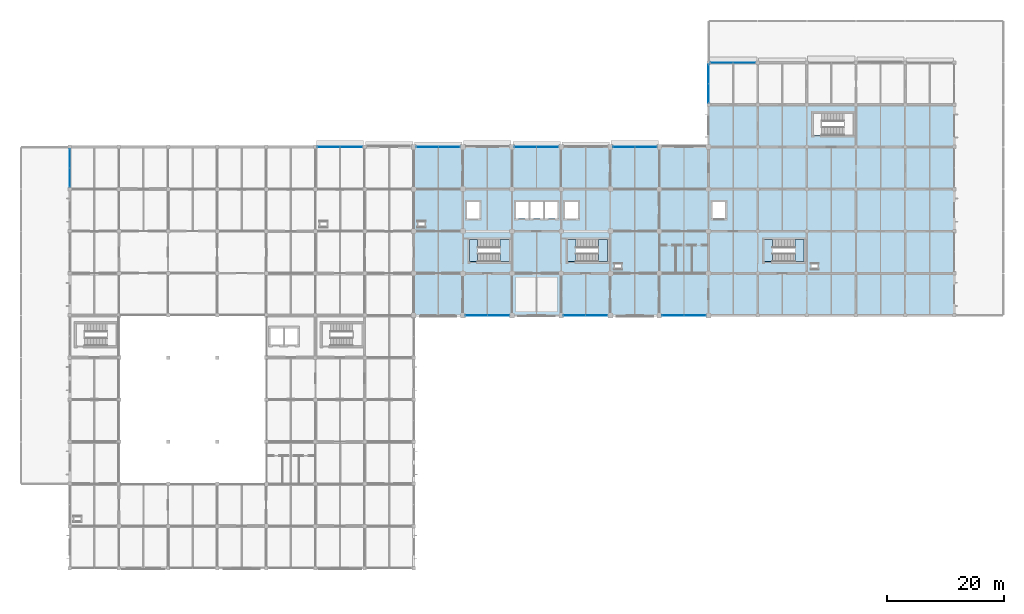
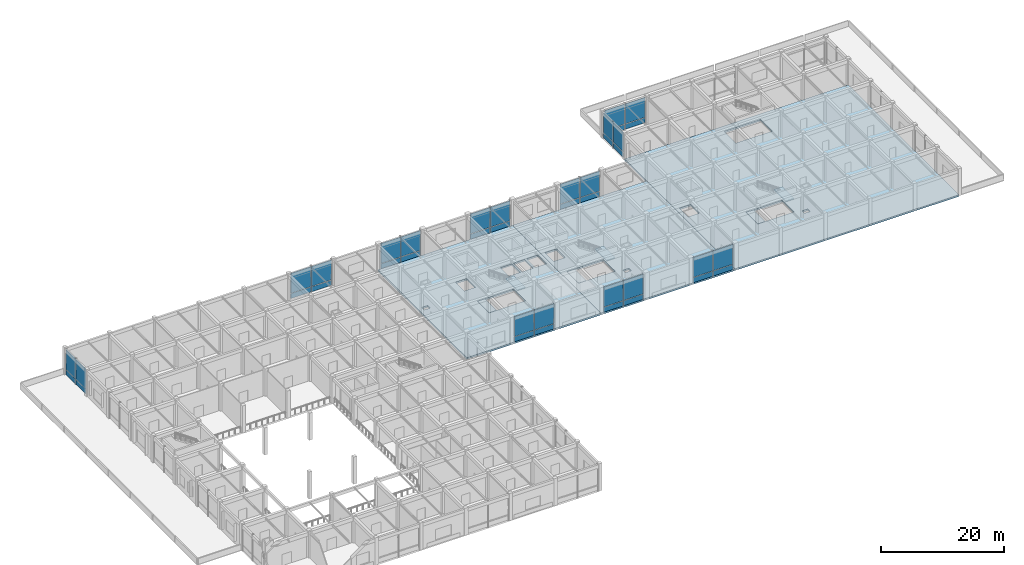
# One storey, part 17 of 38: 40 plates, 9 slabs, 13 elements without a shape of their own.
"""IFC4 building model written with IfcOpenShell, lengths in metres."""

import ifcopenshell
import ifcopenshell.guid

model = None  # the IFC model being written
_history = None  # IfcOwnerHistory: only IFC2X3 demands one
_inside = {}  # id of a spatial element -> (the spatial element, [elements in it])
_under = {}  # id of a project, library or spatial element -> (it, [spatial elements below it])
_declared = {}  # id of a project -> (the project, [libraries it declares])
_typed = {}  # id of a type object -> (the type object, [elements of that type])
_made_of = {}  # id of a material, layer set ... -> (it, [elements and type objects made of it])


def new_model(schema):
    """Start an empty IFC model of exactly this schema.

    Asked for "IFC4X3", IfcOpenShell would pick the latest addendum, in which some entities
    have other attributes; the version numbers below select the first issue.
    IFC2X3 requires an IfcOwnerHistory on every rooted entity: one is made here for all.
    """
    global model, _history
    if schema == "IFC4X3":
        model = ifcopenshell.file(schema_version=(4, 3, 0, 0))
    else:
        model = ifcopenshell.file(schema=schema)
    _inside.clear()
    _under.clear()
    _declared.clear()
    _typed.clear()
    _made_of.clear()
    _history = None
    if model.schema == "IFC2X3":
        org = make("IfcOrganization", Name="unknown")
        user = make(
            "IfcPersonAndOrganization",
            ThePerson=make("IfcPerson", FamilyName="unknown"),
            TheOrganization=org,
        )
        app = make(
            "IfcApplication",
            ApplicationDeveloper=org,
            Version="unknown",
            ApplicationFullName="unknown",
            ApplicationIdentifier="unknown",
        )
        _history = make(
            "IfcOwnerHistory",
            OwningUser=user,
            OwningApplication=app,
            ChangeAction="ADDED",
            CreationDate=0,
        )
    return model


def make(cls, **values):
    """One entity of the class cls with the attributes given. An attribute that is None is left unset."""
    return model.create_entity(
        cls, **{name: value for name, value in values.items() if value is not None}
    )


def rooted(cls, **values):
    """An entity with a GlobalId (a new one), such as an element, a storey or a relation."""
    return make(cls, GlobalId=ifcopenshell.guid.new(), OwnerHistory=_history, **values)


def si_unit(unit_type, name, prefix=None):
    """IfcSIUnit, for example si_unit("LENGTHUNIT", "METRE", prefix="MILLI")."""
    return make("IfcSIUnit", UnitType=unit_type, Prefix=prefix, Name=name)


def derived_unit(unit_type, elements):
    """IfcDerivedUnit: a product of units, each with its exponent."""
    return make(
        "IfcDerivedUnit",
        Elements=[
            make("IfcDerivedUnitElement", Unit=unit, Exponent=power)
            for unit, power in elements
        ],
        UnitType=unit_type,
    )


def assignment(units):
    """IfcUnitAssignment: the units of a project."""
    return None if units is None else make("IfcUnitAssignment", Units=units)


def point(xyz):
    """IfcCartesianPoint."""
    return None if xyz is None else make("IfcCartesianPoint", Coordinates=xyz)


def direction(xyz):
    """IfcDirection."""
    return None if xyz is None else make("IfcDirection", DirectionRatios=xyz)


def frame(location, z_axis=None, x_axis=None):
    """IfcAxis2Placement3D, a coordinate frame: its origin and axes. An axis left out is left unset."""
    return make(
        "IfcAxis2Placement3D",
        Location=point(location),
        Axis=direction(z_axis),
        RefDirection=direction(x_axis),
    )


def frame_2d(location, x_axis=None):
    """IfcAxis2Placement2D, a coordinate frame in the plane: its origin and x axis."""
    return make(
        "IfcAxis2Placement2D", Location=point(location), RefDirection=direction(x_axis)
    )


def origin():
    """The frame at (0, 0, 0) with its axes left unset."""
    return frame((0.0, 0.0, 0.0))


def origin_2d():
    """The frame at (0, 0) in the plane with its x axis left unset."""
    return frame_2d((0.0, 0.0))


def place(relative_to, where):
    """IfcLocalPlacement: puts the frame where relative to a parent placement (None: the world)."""
    return make(
        "IfcLocalPlacement", PlacementRelTo=relative_to, RelativePlacement=where
    )


def context(
    kind, dimensions, precision=None, world=None, true_north=None, identifier=None
):
    """IfcGeometricRepresentationContext, for example the 3D "Model" context."""
    return make(
        "IfcGeometricRepresentationContext",
        ContextIdentifier=identifier,
        ContextType=kind,
        CoordinateSpaceDimension=dimensions,
        Precision=precision,
        WorldCoordinateSystem=world,
        TrueNorth=true_north,
    )


def subcontext(parent, identifier, kind, view, scale=None):
    """IfcGeometricRepresentationSubContext, for example "Body" below "Model"."""
    return make(
        "IfcGeometricRepresentationSubContext",
        ContextIdentifier=identifier,
        ContextType=kind,
        ParentContext=parent,
        TargetScale=scale,
        TargetView=view,
    )


def project(units=None, contexts=None):
    """IfcProject with its units and contexts."""
    return rooted(
        "IfcProject",
        Name="project",
        RepresentationContexts=contexts,
        UnitsInContext=assignment(units),
    )


def spatial(cls, under=None, at=None, **own):
    """A site, building, storey or space (cls), placed at a placement, below another one or the project."""
    s = rooted(cls, ObjectPlacement=at, **own)
    if under is not None:
        _under.setdefault(under.id(), (under, []))[1].append(s)
    return s


def polyline(points):
    """IfcPolyline through the points."""
    return make("IfcPolyline", Points=[point(p) for p in points])


def profile(cls, at=None, kind="AREA", **sizes):
    """A parametric profile (cls). Its sizes go by their IFC names, for example OverallWidth=200.0."""
    return make(cls, ProfileType=kind, Position=at, **sizes)


def rectangle(**sizes):
    """IfcRectangleProfileDef."""
    return profile("IfcRectangleProfileDef", **sizes)


def outline(outer, holes=None, kind="AREA"):
    """IfcArbitraryClosedProfileDef: a profile drawn as a closed curve; with holes, ...WithVoids."""
    if holes is None:
        return make("IfcArbitraryClosedProfileDef", ProfileType=kind, OuterCurve=outer)
    return make(
        "IfcArbitraryProfileDefWithVoids",
        ProfileType=kind,
        OuterCurve=outer,
        InnerCurves=holes,
    )


def extrude(swept, where, along, depth):
    """IfcExtrudedAreaSolid: the profile swept, set in the frame where, extruded along a direction by depth."""
    return make(
        "IfcExtrudedAreaSolid",
        SweptArea=swept,
        Position=where,
        ExtrudedDirection=direction(along),
        Depth=depth,
    )


def shape(context_of_items, identifier, shape_type, items):
    """IfcShapeRepresentation: the items that make up one representation, for example the "Body"."""
    return make(
        "IfcShapeRepresentation",
        ContextOfItems=context_of_items,
        RepresentationIdentifier=identifier,
        RepresentationType=shape_type,
        Items=items,
    )


def material(Name=None, Category=None):
    """IfcMaterial."""
    return make("IfcMaterial", Name=Name, Category=Category)


def layer(
    of_material, thickness, ventilated=None, Name=None, Category=None, Priority=None
):
    """IfcMaterialLayer: one layer of a wall or slab, of a material (None: an air gap)."""
    return make(
        "IfcMaterialLayer",
        Material=of_material,
        LayerThickness=thickness,
        IsVentilated=ventilated,
        Name=Name,
        Category=Category,
        Priority=Priority,
    )


def layer_set(layers, Name=None):
    """IfcMaterialLayerSet."""
    return make("IfcMaterialLayerSet", MaterialLayers=layers, LayerSetName=Name)


def made_of(thing, what):
    """Note that an element or type object is made of a material, layer set ...; save() writes the relation."""
    if what is not None:
        _made_of.setdefault(what.id(), (what, []))[1].append(thing)
    return thing


def type_object(cls, material=None, **own):
    """A type object (cls), such as IfcWallType, which elements share."""
    return made_of(rooted(cls, **own), material)


def element(
    cls,
    number,
    at=None,
    inside=None,
    cuts=None,
    type_object=None,
    material=None,
    context=None,
    identifier="Body",
    shape_type=None,
    held_by="IfcProductDefinitionShape",
    body=None,
    shapes=None,
    **own,
):
    """One element of the class cls, such as IfcWall. Its Tag is "e" and its number.

    at: its placement. inside: the storey or other place that contains it. cuts: it is an
    opening in that element (IfcRelVoidsElement). A single representation is given by context,
    identifier, shape_type and body (its items); several are given by shapes. held_by: the class
    of the entity that holds the representations. save() writes the other relations.
    """
    e = rooted(cls, Tag="e%d" % number, ObjectPlacement=at, **own)
    if body is not None:
        shapes = [shape(context, identifier, shape_type, body)]
    if shapes is not None:
        e.Representation = make(held_by, Representations=shapes)
    if inside is not None:
        _inside.setdefault(inside.id(), (inside, []))[1].append(e)
    if cuts is not None:
        rooted(
            "IfcRelVoidsElement", RelatingBuildingElement=cuts, RelatedOpeningElement=e
        )
    if type_object is not None:
        _typed.setdefault(type_object.id(), (type_object, []))[1].append(e)
    return made_of(e, material)


def aggregate(whole, parts):
    """IfcRelAggregates: a whole, such as a stair, and the parts it consists of."""
    return rooted("IfcRelAggregates", RelatingObject=whole, RelatedObjects=parts)


def save(model, path):
    """Write the relations noted so far, then the file.

    IfcRelAggregates (storeys below a building ...), IfcRelContainedInSpatialStructure (elements
    in a storey), IfcRelDefinesByType, IfcRelAssociatesMaterial and IfcRelDeclares: one each for
    every whole, place, type object, material and project.
    """
    for whole, parts in _under.values():
        aggregate(whole, parts)
    for where, things in _inside.values():
        rooted(
            "IfcRelContainedInSpatialStructure",
            RelatedElements=things,
            RelatingStructure=where,
        )
    for kind, things in _typed.values():
        rooted("IfcRelDefinesByType", RelatedObjects=things, RelatingType=kind)
    for what, things in _made_of.values():
        rooted("IfcRelAssociatesMaterial", RelatedObjects=things, RelatingMaterial=what)
    for by, libraries in _declared.values():
        rooted("IfcRelDeclares", RelatingContext=by, RelatedDefinitions=libraries)
    model.write(path)


model = new_model("IFC4")

# Units and contexts
model_context = context("Model", 3, precision=1e-05, world=origin(), true_north=direction((0.0, 1.0)))
body_context = subcontext(model_context, "Body", "Model", "MODEL_VIEW")
ifc_project = project(units=[si_unit("LENGTHUNIT", "METRE"), si_unit("AREAUNIT", "SQUARE_METRE"), si_unit("VOLUMEUNIT", "CUBIC_METRE"), si_unit("PLANEANGLEUNIT", "RADIAN"), si_unit("MASSUNIT", "GRAM", prefix="KILO"), derived_unit("THERMALTRANSMITTANCEUNIT", [(si_unit("MASSUNIT", "GRAM", prefix="KILO"), 1), (si_unit("TIMEUNIT", "SECOND"), -3), (si_unit("THERMODYNAMICTEMPERATUREUNIT", "KELVIN"), -1)])], contexts=[model_context])

# Site, building, storey
site_placement = place(None, origin())
site = spatial("IfcSite", under=ifc_project, at=site_placement, CompositionType="ELEMENT")
building_placement = place(site_placement, origin())
building = spatial("IfcBuilding", under=site, at=building_placement, Name="Veldstrom Oceanarium and Marine Research Institute", CompositionType="ELEMENT")
storey_placement = place(building_placement, frame((0.0, 0.0, 11.39990234375)))
storey = spatial("IfcBuildingStorey", under=building, at=storey_placement, Name="L02", CompositionType="ELEMENT", Elevation=11.39990234375)

# Curtain wall, plates
ifc_material_1 = material(Name="Anodised Aluminium Framing", Category="aluminium")
curtain_wall_type_1 = type_object("IfcCurtainWallType", Name="ARC-CW-CW02", PredefinedType="USERDEFINED", material=ifc_material_1)
curtain_wall_1_placement = place(storey_placement, origin())
curtain_wall_1 = element("IfcCurtainWall", 1, at=curtain_wall_1_placement, inside=storey, type_object=curtain_wall_type_1, Name="Curtain Wall CW02 CW-L02-025", ObjectType="Curtain wall", PredefinedType="USERDEFINED")
ifc_material_2 = material(Name="Insulated Aluminium Spandrel", Category="aluminium")
ifc_layer_1 = layer(ifc_material_2, 0.044921875)
ifc_layer_set_1 = layer_set([ifc_layer_1], Name="ARC-PLT-CP02")
plate_type_1 = type_object("IfcPlateType", Name="ARC-PLT-CP02", PredefinedType="CURTAIN_PANEL", material=ifc_layer_set_1)
plate_1_placement = place(storey_placement, frame((52.669921875, 72.0, 0.02001953125), z_axis=(0.0, 0.0, 1.0), x_axis=(1.0, 0.0, 0.0)))
plate_1 = element("IfcPlate", 2, at=plate_1_placement, type_object=plate_type_1, Name="Curtain Spandrel Panel CW-L02-025-PNL-S1", PredefinedType="CURTAIN_PANEL", context=body_context, shape_type="SweptSolid", body=[
    extrude(rectangle(XDim=3.780029296875, YDim=0.044921875, at=origin_2d()), origin(), (0.0, 0.0, 1.0), 0.989990234375),
])
plate_2_placement = place(storey_placement, frame((56.530029296875, 72.0, 0.02001953125), z_axis=(0.0, 0.0, 1.0), x_axis=(1.0, 0.0, 0.0)))
plate_2 = element("IfcPlate", 3, at=plate_2_placement, type_object=plate_type_1, Name="Curtain Spandrel Panel CW-L02-025-PNL-S2", PredefinedType="CURTAIN_PANEL", context=body_context, shape_type="SweptSolid", body=[
    extrude(rectangle(XDim=3.780029296875, YDim=0.044921875, at=origin_2d()), origin(), (0.0, 0.0, 1.0), 0.989990234375),
])

curtain_wall_2_placement = place(storey_placement, origin())
curtain_wall_2 = element("IfcCurtainWall", 4, at=curtain_wall_2_placement, inside=storey, type_object=curtain_wall_type_1, Name="Curtain Wall CW02 CW-L02-030", ObjectType="Curtain wall", PredefinedType="USERDEFINED")
plate_3_placement = place(storey_placement, frame((69.513671875, 72.0, 0.02001953125), z_axis=(0.0, 0.0, 1.0), x_axis=(1.0, 0.0, 0.0)))
plate_3 = element("IfcPlate", 5, at=plate_3_placement, type_object=plate_type_1, Name="Curtain Spandrel Panel CW-L02-030-PNL-S1", PredefinedType="CURTAIN_PANEL", context=body_context, shape_type="SweptSolid", body=[
    extrude(rectangle(XDim=3.66748046875, YDim=0.044921875, at=origin_2d()), origin(), (0.0, 0.0, 1.0), 0.989990234375),
])
plate_4_placement = place(storey_placement, frame((73.26123046875, 72.0, 0.02001953125), z_axis=(0.0, 0.0, 1.0), x_axis=(1.0, 0.0, 0.0)))
plate_4 = element("IfcPlate", 6, at=plate_4_placement, type_object=plate_type_1, Name="Curtain Spandrel Panel CW-L02-030-PNL-S2", PredefinedType="CURTAIN_PANEL", context=body_context, shape_type="SweptSolid", body=[
    extrude(rectangle(XDim=3.66748046875, YDim=0.044921875, at=origin_2d()), origin(), (0.0, 0.0, 1.0), 0.989990234375),
])

curtain_wall_3_placement = place(storey_placement, origin())
curtain_wall_3 = element("IfcCurtainWall", 7, at=curtain_wall_3_placement, inside=storey, type_object=curtain_wall_type_1, Name="Curtain Wall CW02 CW-L02-031", ObjectType="Curtain wall", PredefinedType="USERDEFINED")
plate_5_placement = place(storey_placement, frame((77.938720703125, 43.199951171875, 0.02001953125), z_axis=(0.0, 0.0, 1.0), x_axis=(1.0, 0.0, 0.0)))
plate_5 = element("IfcPlate", 8, at=plate_5_placement, type_object=plate_type_1, Name="Curtain Spandrel Panel CW-L02-031-PNL-S1", PredefinedType="CURTAIN_PANEL", context=body_context, shape_type="SweptSolid", body=[
    extrude(rectangle(XDim=3.66748046875, YDim=0.044921875, at=origin_2d()), origin(), (0.0, 0.0, 1.0), 0.989990234375),
])
plate_6_placement = place(storey_placement, frame((81.686279296875, 43.199951171875, 0.02001953125), z_axis=(0.0, 0.0, 1.0), x_axis=(1.0, 0.0, 0.0)))
plate_6 = element("IfcPlate", 9, at=plate_6_placement, type_object=plate_type_1, Name="Curtain Spandrel Panel CW-L02-031-PNL-S2", PredefinedType="CURTAIN_PANEL", context=body_context, shape_type="SweptSolid", body=[
    extrude(rectangle(XDim=3.66748046875, YDim=0.044921875, at=origin_2d()), origin(), (0.0, 0.0, 1.0), 0.989990234375),
])

curtain_wall_4_placement = place(storey_placement, origin())
curtain_wall_4 = element("IfcCurtainWall", 10, at=curtain_wall_4_placement, inside=storey, type_object=curtain_wall_type_1, Name="Curtain Wall CW02 CW-L02-032", ObjectType="Curtain wall", PredefinedType="USERDEFINED")
plate_7_placement = place(storey_placement, frame((86.320068359375, 72.0, 0.02001953125), z_axis=(0.0, 0.0, 1.0), x_axis=(1.0, 0.0, 0.0)))
plate_7 = element("IfcPlate", 11, at=plate_7_placement, type_object=plate_type_1, Name="Curtain Spandrel Panel CW-L02-032-PNL-S1", PredefinedType="CURTAIN_PANEL", context=body_context, shape_type="SweptSolid", body=[
    extrude(rectangle(XDim=3.679931640625, YDim=0.044921875, at=origin_2d()), origin(), (0.0, 0.0, 1.0), 0.989990234375),
])
plate_8_placement = place(storey_placement, frame((90.080078125, 72.0, 0.02001953125), z_axis=(0.0, 0.0, 1.0), x_axis=(1.0, 0.0, 0.0)))
plate_8 = element("IfcPlate", 12, at=plate_8_placement, type_object=plate_type_1, Name="Curtain Spandrel Panel CW-L02-032-PNL-S2", PredefinedType="CURTAIN_PANEL", context=body_context, shape_type="SweptSolid", body=[
    extrude(rectangle(XDim=3.679931640625, YDim=0.044921875, at=origin_2d()), origin(), (0.0, 0.0, 1.0), 0.989990234375),
])

curtain_wall_5_placement = place(storey_placement, origin())
curtain_wall_5 = element("IfcCurtainWall", 13, at=curtain_wall_5_placement, inside=storey, type_object=curtain_wall_type_1, Name="Curtain Wall CW02 CW-L02-033", ObjectType="Curtain wall", PredefinedType="USERDEFINED")
plate_9_placement = place(storey_placement, frame((94.713623046875, 43.199951171875, 0.02001953125), z_axis=(0.0, 0.0, 1.0), x_axis=(1.0, 0.0, 0.0)))
plate_9 = element("IfcPlate", 14, at=plate_9_placement, type_object=plate_type_1, Name="Curtain Spandrel Panel CW-L02-033-PNL-S1", PredefinedType="CURTAIN_PANEL", context=body_context, shape_type="SweptSolid", body=[
    extrude(rectangle(XDim=3.66748046875, YDim=0.044921875, at=origin_2d()), origin(), (0.0, 0.0, 1.0), 0.989990234375),
])
plate_10_placement = place(storey_placement, frame((98.461181640625, 43.199951171875, 0.02001953125), z_axis=(0.0, 0.0, 1.0), x_axis=(1.0, 0.0, 0.0)))
plate_10 = element("IfcPlate", 15, at=plate_10_placement, type_object=plate_type_1, Name="Curtain Spandrel Panel CW-L02-033-PNL-S2", PredefinedType="CURTAIN_PANEL", context=body_context, shape_type="SweptSolid", body=[
    extrude(rectangle(XDim=3.66748046875, YDim=0.044921875, at=origin_2d()), origin(), (0.0, 0.0, 1.0), 0.989990234375),
])

curtain_wall_6_placement = place(storey_placement, origin())
curtain_wall_6 = element("IfcCurtainWall", 16, at=curtain_wall_6_placement, inside=storey, type_object=curtain_wall_type_1, Name="Curtain Wall CW02 CW-L02-034", ObjectType="Curtain wall", PredefinedType="USERDEFINED")
plate_11_placement = place(storey_placement, frame((103.138671875, 72.0, 0.02001953125), z_axis=(0.0, 0.0, 1.0), x_axis=(1.0, 0.0, 0.0)))
plate_11 = element("IfcPlate", 17, at=plate_11_placement, type_object=plate_type_1, Name="Curtain Spandrel Panel CW-L02-034-PNL-S1", PredefinedType="CURTAIN_PANEL", context=body_context, shape_type="SweptSolid", body=[
    extrude(rectangle(XDim=3.66748046875, YDim=0.044921875, at=origin_2d()), origin(), (0.0, 0.0, 1.0), 0.989990234375),
])
plate_12_placement = place(storey_placement, frame((106.88623046875, 72.0, 0.02001953125), z_axis=(0.0, 0.0, 1.0), x_axis=(1.0, 0.0, 0.0)))
plate_12 = element("IfcPlate", 18, at=plate_12_placement, type_object=plate_type_1, Name="Curtain Spandrel Panel CW-L02-034-PNL-S2", PredefinedType="CURTAIN_PANEL", context=body_context, shape_type="SweptSolid", body=[
    extrude(rectangle(XDim=3.66748046875, YDim=0.044921875, at=origin_2d()), origin(), (0.0, 0.0, 1.0), 0.989990234375),
])

curtain_wall_7_placement = place(storey_placement, origin())
curtain_wall_7 = element("IfcCurtainWall", 19, at=curtain_wall_7_placement, inside=storey, type_object=curtain_wall_type_1, Name="Curtain Wall CW02 CW-L02-035", ObjectType="Curtain wall", PredefinedType="USERDEFINED")
plate_13_placement = place(storey_placement, frame((111.52001953125, 43.199951171875, 0.02001953125), z_axis=(0.0, 0.0, 1.0), x_axis=(1.0, 0.0, 0.0)))
plate_13 = element("IfcPlate", 20, at=plate_13_placement, type_object=plate_type_1, Name="Curtain Spandrel Panel CW-L02-035-PNL-S1", PredefinedType="CURTAIN_PANEL", context=body_context, shape_type="SweptSolid", body=[
    extrude(rectangle(XDim=3.679931640625, YDim=0.044921875, at=origin_2d()), origin(), (0.0, 0.0, 1.0), 0.989990234375),
])
plate_14_placement = place(storey_placement, frame((115.280029296875, 43.199951171875, 0.02001953125), z_axis=(0.0, 0.0, 1.0), x_axis=(1.0, 0.0, 0.0)))
plate_14 = element("IfcPlate", 21, at=plate_14_placement, type_object=plate_type_1, Name="Curtain Spandrel Panel CW-L02-035-PNL-S2", PredefinedType="CURTAIN_PANEL", context=body_context, shape_type="SweptSolid", body=[
    extrude(rectangle(XDim=3.679931640625, YDim=0.044921875, at=origin_2d()), origin(), (0.0, 0.0, 1.0), 0.989990234375),
])

curtain_wall_8_placement = place(storey_placement, origin())
curtain_wall_8 = element("IfcCurtainWall", 22, at=curtain_wall_8_placement, inside=storey, type_object=curtain_wall_type_1, Name="Curtain Wall CW02 CW-L02-036", ObjectType="Curtain wall", PredefinedType="USERDEFINED")
plate_15_placement = place(storey_placement, frame((119.8701171875, 86.39990234375, 0.02001953125), z_axis=(0.0, 0.0, 1.0), x_axis=(1.0, 0.0, 0.0)))
plate_15 = element("IfcPlate", 23, at=plate_15_placement, type_object=plate_type_1, Name="Curtain Spandrel Panel CW-L02-036-PNL-S1", PredefinedType="CURTAIN_PANEL", context=body_context, shape_type="SweptSolid", body=[
    extrude(rectangle(XDim=3.780029296875, YDim=0.044921875, at=origin_2d()), origin(), (0.0, 0.0, 1.0), 0.989990234375),
])
plate_16_placement = place(storey_placement, frame((123.72998046875, 86.39990234375, 0.02001953125), z_axis=(0.0, 0.0, 1.0), x_axis=(1.0, 0.0, 0.0)))
plate_16 = element("IfcPlate", 24, at=plate_16_placement, type_object=plate_type_1, Name="Curtain Spandrel Panel CW-L02-036-PNL-S2", PredefinedType="CURTAIN_PANEL", context=body_context, shape_type="SweptSolid", body=[
    extrude(rectangle(XDim=3.780029296875, YDim=0.044921875, at=origin_2d()), origin(), (0.0, 0.0, 1.0), 0.989990234375),
])

ifc_material_3 = material(Name="Anodised Aluminium Framing", Category="aluminium")
curtain_wall_type_2 = type_object("IfcCurtainWallType", Name="ARC-CW-CW06", PredefinedType="USERDEFINED", material=ifc_material_3)
curtain_wall_9_placement = place(storey_placement, origin())
curtain_wall_9 = element("IfcCurtainWall", 25, at=curtain_wall_9_placement, inside=storey, type_object=curtain_wall_type_2, Name="Curtain Wall CW06 CW-L02-022", ObjectType="Curtain wall", PredefinedType="USERDEFINED")
ifc_material_4 = material(Name="Insulated Aluminium Spandrel", Category="aluminium")
ifc_layer_2 = layer(ifc_material_4, 0.044921875)
ifc_layer_set_2 = layer_set([ifc_layer_2], Name="ARC-PLT-CP06")
plate_type_2 = type_object("IfcPlateType", Name="ARC-PLT-CP06", PredefinedType="CURTAIN_PANEL", material=ifc_layer_set_2)
plate_17_placement = place(storey_placement, frame((8.39990234375, 66.77001953125, 0.02001953125), z_axis=(0.0, 0.0, 1.0), x_axis=(0.0, 1.0, 0.0)))
plate_17 = element("IfcPlate", 26, at=plate_17_placement, type_object=plate_type_2, Name="Curtain Spandrel Panel CW-L02-022-PNL-S1", PredefinedType="CURTAIN_PANEL", context=body_context, shape_type="SweptSolid", body=[
    extrude(rectangle(XDim=3.179931640625, YDim=0.044921875, at=origin_2d()), origin(), (0.0, 0.0, 1.0), 0.989990234375),
])
plate_18_placement = place(storey_placement, frame((8.39990234375, 70.030029296875, 0.02001953125), z_axis=(0.0, 0.0, 1.0), x_axis=(0.0, 1.0, 0.0)))
plate_18 = element("IfcPlate", 27, at=plate_18_placement, type_object=plate_type_2, Name="Curtain Spandrel Panel CW-L02-022-PNL-S2", PredefinedType="CURTAIN_PANEL", context=body_context, shape_type="SweptSolid", body=[
    extrude(rectangle(XDim=3.179931640625, YDim=0.044921875, at=origin_2d()), origin(), (0.0, 0.0, 1.0), 0.989990234375),
])

curtain_wall_10_placement = place(storey_placement, origin())
curtain_wall_10 = element("IfcCurtainWall", 28, at=curtain_wall_10_placement, inside=storey, type_object=curtain_wall_type_2, Name="Curtain Wall CW06 CW-L02-037", ObjectType="Curtain wall", PredefinedType="USERDEFINED")
plate_19_placement = place(storey_placement, frame((117.60009765625, 81.169921875, 0.02001953125), z_axis=(0.0, 0.0, 1.0), x_axis=(0.0, 1.0, 0.0)))
plate_19 = element("IfcPlate", 29, at=plate_19_placement, type_object=plate_type_2, Name="Curtain Spandrel Panel CW-L02-037-PNL-S1", PredefinedType="CURTAIN_PANEL", context=body_context, shape_type="SweptSolid", body=[
    extrude(rectangle(XDim=3.179931640625, YDim=0.044921875, at=origin_2d()), origin(), (0.0, 0.0, 1.0), 0.989990234375),
])
plate_20_placement = place(storey_placement, frame((117.60009765625, 84.429931640625, 0.02001953125), z_axis=(0.0, 0.0, 1.0), x_axis=(0.0, 1.0, 0.0)))
plate_20 = element("IfcPlate", 30, at=plate_20_placement, type_object=plate_type_2, Name="Curtain Spandrel Panel CW-L02-037-PNL-S2", PredefinedType="CURTAIN_PANEL", context=body_context, shape_type="SweptSolid", body=[
    extrude(rectangle(XDim=3.179931640625, YDim=0.044921875, at=origin_2d()), origin(), (0.0, 0.0, 1.0), 0.989990234375),
])

# Plate
ifc_material_5 = material(Name="Double Glazed Low-E IGU", Category="glass")
ifc_layer_3 = layer(ifc_material_5, 0.035888671875)
ifc_layer_set_3 = layer_set([ifc_layer_3], Name="ARC-PLT-CP09")
plate_type_3 = type_object("IfcPlateType", Name="ARC-PLT-CP09", PredefinedType="CURTAIN_PANEL", material=ifc_layer_set_3)
plate_21_placement = place(storey_placement, frame((52.669921875, 72.0, 1.09033203125), z_axis=(0.0, 0.0, 1.0), x_axis=(1.0, 0.0, 0.0)))
plate_21 = element("IfcPlate", 31, at=plate_21_placement, type_object=plate_type_3, Name="Curtain Vision Panel CW-L02-025-PNL-V1", PredefinedType="CURTAIN_PANEL", context=body_context, shape_type="SweptSolid", body=[
    extrude(rectangle(XDim=3.780029296875, YDim=0.035888671875, at=origin_2d()), origin(), (0.0, 0.0, 1.0), 3.989990234375),
])

plate_22_placement = place(storey_placement, frame((56.530029296875, 72.0, 1.09033203125), z_axis=(0.0, 0.0, 1.0), x_axis=(1.0, 0.0, 0.0)))
plate_22 = element("IfcPlate", 32, at=plate_22_placement, type_object=plate_type_3, Name="Curtain Vision Panel CW-L02-025-PNL-V2", PredefinedType="CURTAIN_PANEL", context=body_context, shape_type="SweptSolid", body=[
    extrude(rectangle(XDim=3.780029296875, YDim=0.035888671875, at=origin_2d()), origin(), (0.0, 0.0, 1.0), 3.989990234375),
])

aggregate(curtain_wall_1, [plate_1, plate_21, plate_2, plate_22])

plate_23_placement = place(storey_placement, frame((69.513671875, 72.0, 1.09033203125), z_axis=(0.0, 0.0, 1.0), x_axis=(1.0, 0.0, 0.0)))
plate_23 = element("IfcPlate", 33, at=plate_23_placement, type_object=plate_type_3, Name="Curtain Vision Panel CW-L02-030-PNL-V1", PredefinedType="CURTAIN_PANEL", context=body_context, shape_type="SweptSolid", body=[
    extrude(rectangle(XDim=3.66748046875, YDim=0.035888671875, at=origin_2d()), origin(), (0.0, 0.0, 1.0), 3.989990234375),
])

plate_24_placement = place(storey_placement, frame((73.26123046875, 72.0, 1.09033203125), z_axis=(0.0, 0.0, 1.0), x_axis=(1.0, 0.0, 0.0)))
plate_24 = element("IfcPlate", 34, at=plate_24_placement, type_object=plate_type_3, Name="Curtain Vision Panel CW-L02-030-PNL-V2", PredefinedType="CURTAIN_PANEL", context=body_context, shape_type="SweptSolid", body=[
    extrude(rectangle(XDim=3.66748046875, YDim=0.035888671875, at=origin_2d()), origin(), (0.0, 0.0, 1.0), 3.989990234375),
])

aggregate(curtain_wall_2, [plate_3, plate_23, plate_4, plate_24])

plate_25_placement = place(storey_placement, frame((77.938720703125, 43.199951171875, 1.09033203125), z_axis=(0.0, 0.0, 1.0), x_axis=(1.0, 0.0, 0.0)))
plate_25 = element("IfcPlate", 35, at=plate_25_placement, type_object=plate_type_3, Name="Curtain Vision Panel CW-L02-031-PNL-V1", PredefinedType="CURTAIN_PANEL", context=body_context, shape_type="SweptSolid", body=[
    extrude(rectangle(XDim=3.66748046875, YDim=0.035888671875, at=origin_2d()), origin(), (0.0, 0.0, 1.0), 3.989990234375),
])

plate_26_placement = place(storey_placement, frame((81.686279296875, 43.199951171875, 1.09033203125), z_axis=(0.0, 0.0, 1.0), x_axis=(1.0, 0.0, 0.0)))
plate_26 = element("IfcPlate", 36, at=plate_26_placement, type_object=plate_type_3, Name="Curtain Vision Panel CW-L02-031-PNL-V2", PredefinedType="CURTAIN_PANEL", context=body_context, shape_type="SweptSolid", body=[
    extrude(rectangle(XDim=3.66748046875, YDim=0.035888671875, at=origin_2d()), origin(), (0.0, 0.0, 1.0), 3.989990234375),
])

aggregate(curtain_wall_3, [plate_5, plate_25, plate_6, plate_26])

plate_27_placement = place(storey_placement, frame((86.320068359375, 72.0, 1.09033203125), z_axis=(0.0, 0.0, 1.0), x_axis=(1.0, 0.0, 0.0)))
plate_27 = element("IfcPlate", 37, at=plate_27_placement, type_object=plate_type_3, Name="Curtain Vision Panel CW-L02-032-PNL-V1", PredefinedType="CURTAIN_PANEL", context=body_context, shape_type="SweptSolid", body=[
    extrude(rectangle(XDim=3.679931640625, YDim=0.035888671875, at=origin_2d()), origin(), (0.0, 0.0, 1.0), 3.989990234375),
])

plate_28_placement = place(storey_placement, frame((90.080078125, 72.0, 1.09033203125), z_axis=(0.0, 0.0, 1.0), x_axis=(1.0, 0.0, 0.0)))
plate_28 = element("IfcPlate", 38, at=plate_28_placement, type_object=plate_type_3, Name="Curtain Vision Panel CW-L02-032-PNL-V2", PredefinedType="CURTAIN_PANEL", context=body_context, shape_type="SweptSolid", body=[
    extrude(rectangle(XDim=3.679931640625, YDim=0.035888671875, at=origin_2d()), origin(), (0.0, 0.0, 1.0), 3.989990234375),
])

aggregate(curtain_wall_4, [plate_7, plate_27, plate_8, plate_28])

plate_29_placement = place(storey_placement, frame((94.713623046875, 43.199951171875, 1.09033203125), z_axis=(0.0, 0.0, 1.0), x_axis=(1.0, 0.0, 0.0)))
plate_29 = element("IfcPlate", 39, at=plate_29_placement, type_object=plate_type_3, Name="Curtain Vision Panel CW-L02-033-PNL-V1", PredefinedType="CURTAIN_PANEL", context=body_context, shape_type="SweptSolid", body=[
    extrude(rectangle(XDim=3.66748046875, YDim=0.035888671875, at=origin_2d()), origin(), (0.0, 0.0, 1.0), 3.989990234375),
])

plate_30_placement = place(storey_placement, frame((98.461181640625, 43.199951171875, 1.09033203125), z_axis=(0.0, 0.0, 1.0), x_axis=(1.0, 0.0, 0.0)))
plate_30 = element("IfcPlate", 40, at=plate_30_placement, type_object=plate_type_3, Name="Curtain Vision Panel CW-L02-033-PNL-V2", PredefinedType="CURTAIN_PANEL", context=body_context, shape_type="SweptSolid", body=[
    extrude(rectangle(XDim=3.66748046875, YDim=0.035888671875, at=origin_2d()), origin(), (0.0, 0.0, 1.0), 3.989990234375),
])

aggregate(curtain_wall_5, [plate_9, plate_29, plate_10, plate_30])

plate_31_placement = place(storey_placement, frame((103.138671875, 72.0, 1.09033203125), z_axis=(0.0, 0.0, 1.0), x_axis=(1.0, 0.0, 0.0)))
plate_31 = element("IfcPlate", 41, at=plate_31_placement, type_object=plate_type_3, Name="Curtain Vision Panel CW-L02-034-PNL-V1", PredefinedType="CURTAIN_PANEL", context=body_context, shape_type="SweptSolid", body=[
    extrude(rectangle(XDim=3.66748046875, YDim=0.035888671875, at=origin_2d()), origin(), (0.0, 0.0, 1.0), 3.989990234375),
])

plate_32_placement = place(storey_placement, frame((106.88623046875, 72.0, 1.09033203125), z_axis=(0.0, 0.0, 1.0), x_axis=(1.0, 0.0, 0.0)))
plate_32 = element("IfcPlate", 42, at=plate_32_placement, type_object=plate_type_3, Name="Curtain Vision Panel CW-L02-034-PNL-V2", PredefinedType="CURTAIN_PANEL", context=body_context, shape_type="SweptSolid", body=[
    extrude(rectangle(XDim=3.66748046875, YDim=0.035888671875, at=origin_2d()), origin(), (0.0, 0.0, 1.0), 3.989990234375),
])

aggregate(curtain_wall_6, [plate_11, plate_31, plate_12, plate_32])

plate_33_placement = place(storey_placement, frame((111.52001953125, 43.199951171875, 1.09033203125), z_axis=(0.0, 0.0, 1.0), x_axis=(1.0, 0.0, 0.0)))
plate_33 = element("IfcPlate", 43, at=plate_33_placement, type_object=plate_type_3, Name="Curtain Vision Panel CW-L02-035-PNL-V1", PredefinedType="CURTAIN_PANEL", context=body_context, shape_type="SweptSolid", body=[
    extrude(rectangle(XDim=3.679931640625, YDim=0.035888671875, at=origin_2d()), origin(), (0.0, 0.0, 1.0), 3.989990234375),
])

plate_34_placement = place(storey_placement, frame((115.280029296875, 43.199951171875, 1.09033203125), z_axis=(0.0, 0.0, 1.0), x_axis=(1.0, 0.0, 0.0)))
plate_34 = element("IfcPlate", 44, at=plate_34_placement, type_object=plate_type_3, Name="Curtain Vision Panel CW-L02-035-PNL-V2", PredefinedType="CURTAIN_PANEL", context=body_context, shape_type="SweptSolid", body=[
    extrude(rectangle(XDim=3.679931640625, YDim=0.035888671875, at=origin_2d()), origin(), (0.0, 0.0, 1.0), 3.989990234375),
])

aggregate(curtain_wall_7, [plate_13, plate_33, plate_14, plate_34])

plate_35_placement = place(storey_placement, frame((119.8701171875, 86.39990234375, 1.09033203125), z_axis=(0.0, 0.0, 1.0), x_axis=(1.0, 0.0, 0.0)))
plate_35 = element("IfcPlate", 45, at=plate_35_placement, type_object=plate_type_3, Name="Curtain Vision Panel CW-L02-036-PNL-V1", PredefinedType="CURTAIN_PANEL", context=body_context, shape_type="SweptSolid", body=[
    extrude(rectangle(XDim=3.780029296875, YDim=0.035888671875, at=origin_2d()), origin(), (0.0, 0.0, 1.0), 3.989990234375),
])

plate_36_placement = place(storey_placement, frame((123.72998046875, 86.39990234375, 1.09033203125), z_axis=(0.0, 0.0, 1.0), x_axis=(1.0, 0.0, 0.0)))
plate_36 = element("IfcPlate", 46, at=plate_36_placement, type_object=plate_type_3, Name="Curtain Vision Panel CW-L02-036-PNL-V2", PredefinedType="CURTAIN_PANEL", context=body_context, shape_type="SweptSolid", body=[
    extrude(rectangle(XDim=3.780029296875, YDim=0.035888671875, at=origin_2d()), origin(), (0.0, 0.0, 1.0), 3.989990234375),
])

aggregate(curtain_wall_8, [plate_15, plate_35, plate_16, plate_36])

ifc_material_6 = material(Name="Double Glazed Low-E IGU", Category="glass")
ifc_layer_4 = layer(ifc_material_6, 0.035888671875)
ifc_layer_set_4 = layer_set([ifc_layer_4], Name="ARC-PLT-CP10")
plate_type_4 = type_object("IfcPlateType", Name="ARC-PLT-CP10", PredefinedType="CURTAIN_PANEL", material=ifc_layer_set_4)
plate_37_placement = place(storey_placement, frame((8.39990234375, 66.77001953125, 1.09033203125), z_axis=(0.0, 0.0, 1.0), x_axis=(0.0, 1.0, 0.0)))
plate_37 = element("IfcPlate", 47, at=plate_37_placement, type_object=plate_type_4, Name="Curtain Vision Panel CW-L02-022-PNL-V1", PredefinedType="CURTAIN_PANEL", context=body_context, shape_type="SweptSolid", body=[
    extrude(rectangle(XDim=3.179931640625, YDim=0.035888671875, at=origin_2d()), origin(), (0.0, 0.0, 1.0), 3.989990234375),
])

plate_38_placement = place(storey_placement, frame((8.39990234375, 70.030029296875, 1.09033203125), z_axis=(0.0, 0.0, 1.0), x_axis=(0.0, 1.0, 0.0)))
plate_38 = element("IfcPlate", 48, at=plate_38_placement, type_object=plate_type_4, Name="Curtain Vision Panel CW-L02-022-PNL-V2", PredefinedType="CURTAIN_PANEL", context=body_context, shape_type="SweptSolid", body=[
    extrude(rectangle(XDim=3.179931640625, YDim=0.035888671875, at=origin_2d()), origin(), (0.0, 0.0, 1.0), 3.989990234375),
])

aggregate(curtain_wall_9, [plate_17, plate_37, plate_18, plate_38])

plate_39_placement = place(storey_placement, frame((117.60009765625, 81.169921875, 1.09033203125), z_axis=(0.0, 0.0, 1.0), x_axis=(0.0, 1.0, 0.0)))
plate_39 = element("IfcPlate", 49, at=plate_39_placement, type_object=plate_type_4, Name="Curtain Vision Panel CW-L02-037-PNL-V1", PredefinedType="CURTAIN_PANEL", context=body_context, shape_type="SweptSolid", body=[
    extrude(rectangle(XDim=3.179931640625, YDim=0.035888671875, at=origin_2d()), origin(), (0.0, 0.0, 1.0), 3.989990234375),
])

plate_40_placement = place(storey_placement, frame((117.60009765625, 84.429931640625, 1.09033203125), z_axis=(0.0, 0.0, 1.0), x_axis=(0.0, 1.0, 0.0)))
plate_40 = element("IfcPlate", 50, at=plate_40_placement, type_object=plate_type_4, Name="Curtain Vision Panel CW-L02-037-PNL-V2", PredefinedType="CURTAIN_PANEL", context=body_context, shape_type="SweptSolid", body=[
    extrude(rectangle(XDim=3.179931640625, YDim=0.035888671875, at=origin_2d()), origin(), (0.0, 0.0, 1.0), 3.989990234375),
])

aggregate(curtain_wall_10, [plate_19, plate_39, plate_20, plate_40])

# Slabs
ifc_material_7 = material(Name="Concrete C40/50", Category="concrete")
ifc_layer_5 = layer(ifc_material_7, 0.324951171875)
ifc_layer_set_5 = layer_set([ifc_layer_5], Name="STR-SLB-FL0325")
slab_type_1 = type_object("IfcSlabType", Name="STR-SLB-FL0325", PredefinedType="FLOOR", material=ifc_layer_set_5)
slab_1_placement = place(storey_placement, frame((0.0, 0.0, -0.324951171875)))
element("IfcSlab", 51, at=slab_1_placement, inside=storey, type_object=slab_type_1, Name="Slab SF-325 L02 CW", PredefinedType="FLOOR", context=body_context, shape_type="SweptSolid", body=[
    extrude(outline(polyline([(67.199951171875, 64.800048828125), (67.199951171875, 72.0), (75.60009765625, 72.0), (84.0, 72.0), (92.39990234375, 72.0), (92.39990234375, 64.800048828125), (92.39990234375, 57.60009765625), (92.39990234375, 50.39990234375), (92.39990234375, 43.199951171875), (84.0, 43.199951171875), (75.60009765625, 43.199951171875), (67.199951171875, 43.199951171875), (67.199951171875, 50.39990234375), (67.199951171875, 57.60009765625), (67.199951171875, 64.800048828125)]), holes=[polyline([(76.719970703125, 52.39990234375), (83.56005859375, 52.39990234375), (83.56005859375, 56.199951171875), (76.719970703125, 56.199951171875), (76.719970703125, 52.39990234375)]), polyline([(78.449951171875, 62.60009765625), (76.300048828125, 62.60009765625), (76.300048828125, 59.800048828125), (78.449951171875, 59.800048828125), (78.449951171875, 62.60009765625)]), polyline([(84.699951171875, 59.800048828125), (86.85009765625, 59.800048828125), (86.85009765625, 62.60009765625), (84.699951171875, 62.60009765625), (84.699951171875, 59.800048828125)]), polyline([(87.14990234375, 62.60009765625), (87.14990234375, 59.800048828125), (89.300048828125, 59.800048828125), (89.300048828125, 62.60009765625), (87.14990234375, 62.60009765625)]), polyline([(91.75, 62.60009765625), (89.60009765625, 62.60009765625), (89.60009765625, 59.800048828125), (91.75, 59.800048828125), (91.75, 62.60009765625)]), polyline([(69.10009765625, 59.199951171875), (68.0, 59.199951171875), (68.0, 58.39990234375), (69.10009765625, 58.39990234375), (69.10009765625, 59.199951171875)])]), origin(), (0.0, 0.0, 1.0), 0.324951171875),
])
slab_2_placement = place(storey_placement, frame((0.0, 0.0, -0.324951171875)))
element("IfcSlab", 52, at=slab_2_placement, inside=storey, type_object=slab_type_1, Name="Slab SF-325 L02 CE", PredefinedType="FLOOR", context=body_context, shape_type="SweptSolid", body=[
    extrude(outline(polyline([(92.39990234375, 57.60009765625), (92.39990234375, 64.800048828125), (92.39990234375, 72.0), (100.800048828125, 72.0), (109.199951171875, 72.0), (117.60009765625, 72.0), (117.60009765625, 64.800048828125), (117.60009765625, 57.60009765625), (117.60009765625, 50.39990234375), (117.60009765625, 43.199951171875), (109.199951171875, 43.199951171875), (100.800048828125, 43.199951171875), (92.39990234375, 43.199951171875), (92.39990234375, 50.39990234375), (92.39990234375, 57.60009765625)]), holes=[polyline([(93.52001953125, 56.199951171875), (93.52001953125, 52.39990234375), (100.360107421875, 52.39990234375), (100.360107421875, 56.199951171875), (93.52001953125, 56.199951171875)]), polyline([(95.25, 59.800048828125), (95.25, 62.60009765625), (93.10009765625, 62.60009765625), (93.10009765625, 59.800048828125), (95.25, 59.800048828125)]), polyline([(102.699951171875, 52.0), (101.60009765625, 52.0), (101.60009765625, 51.199951171875), (102.699951171875, 51.199951171875), (102.699951171875, 52.0)])]), origin(), (0.0, 0.0, 1.0), 0.324951171875),
])
slab_3_placement = place(storey_placement, frame((0.0, 0.0, -0.324951171875)))
element("IfcSlab", 53, at=slab_3_placement, inside=storey, type_object=slab_type_1, Name="Slab SF-325 L02 ES", PredefinedType="FLOOR", context=body_context, shape_type="SweptSolid", body=[
    extrude(outline(polyline([(134.39990234375, 43.199951171875), (126.0, 43.199951171875), (117.60009765625, 43.199951171875), (117.60009765625, 50.39990234375), (117.60009765625, 57.60009765625), (117.60009765625, 64.800048828125), (117.60009765625, 72.0), (117.60009765625, 79.199951171875), (126.0, 79.199951171875), (134.39990234375, 79.199951171875), (142.800048828125, 79.199951171875), (151.199951171875, 79.199951171875), (159.60009765625, 79.199951171875), (159.60009765625, 72.0), (159.60009765625, 64.800048828125), (159.60009765625, 57.60009765625), (159.60009765625, 50.39990234375), (159.60009765625, 43.199951171875), (151.199951171875, 43.199951171875), (142.800048828125, 43.199951171875), (134.39990234375, 43.199951171875)]), holes=[polyline([(133.9599609375, 52.39990234375), (133.9599609375, 56.199951171875), (127.1201171875, 56.199951171875), (127.1201171875, 52.39990234375), (133.9599609375, 52.39990234375)]), polyline([(135.52001953125, 77.800048828125), (135.52001953125, 74.0), (142.360107421875, 74.0), (142.360107421875, 77.800048828125), (135.52001953125, 77.800048828125)]), polyline([(118.300048828125, 62.60009765625), (118.300048828125, 59.800048828125), (120.449951171875, 59.800048828125), (120.449951171875, 62.60009765625), (118.300048828125, 62.60009765625)]), polyline([(136.300048828125, 52.0), (135.199951171875, 52.0), (135.199951171875, 51.199951171875), (136.300048828125, 51.199951171875), (136.300048828125, 52.0)])]), origin(), (0.0, 0.0, 1.0), 0.324951171875),
])

# Stair, slab
ifc_material_8 = material(Name="Concrete C40/50", Category="concrete")
stair_type = type_object("IfcStairType", Name="ARC-STR-ST-540", PredefinedType="TWO_STRAIGHT_RUN_STAIR", material=ifc_material_8)
stair_1_placement = place(storey_placement, origin())
stair_1 = element("IfcStair", 54, at=stair_1_placement, inside=storey, type_object=stair_type, Name="Dog-Leg Escape Stair ST1-L02", PredefinedType="TWO_STRAIGHT_RUN_STAIR")
ifc_material_9 = material(Name="Concrete C40/50", Category="concrete")
ifc_layer_6 = layer(ifc_material_9, 0.179931640625)
ifc_layer_set_6 = layer_set([ifc_layer_6], Name="STR-SLB-LD180")
slab_type_2 = type_object("IfcSlabType", Name="STR-SLB-LD180", PredefinedType="LANDING", material=ifc_layer_set_6)
slab_4_placement = place(storey_placement, frame((0.0, 0.0, 2.52001953125)))
slab_4 = element("IfcSlab", 55, at=slab_4_placement, type_object=slab_type_2, Name="Stair Half-Landing ST1 L02", PredefinedType="LANDING", context=body_context, shape_type="SweptSolid", body=[
    extrude(outline(polyline([(81.965087890625, 52.39990234375), (83.56005859375, 52.39990234375), (83.56005859375, 56.199951171875), (81.965087890625, 56.199951171875), (81.965087890625, 52.39990234375)])), origin(), (0.0, 0.0, 1.0), 0.18017578125),
])
aggregate(stair_1, [slab_4])

stair_2_placement = place(storey_placement, origin())
stair_2 = element("IfcStair", 56, at=stair_2_placement, inside=storey, type_object=stair_type, Name="Dog-Leg Escape Stair ST2-L02", PredefinedType="TWO_STRAIGHT_RUN_STAIR")
slab_5_placement = place(storey_placement, frame((0.0, 0.0, 2.52001953125)))
slab_5 = element("IfcSlab", 57, at=slab_5_placement, type_object=slab_type_2, Name="Stair Half-Landing ST2 L02", PredefinedType="LANDING", context=body_context, shape_type="SweptSolid", body=[
    extrude(outline(polyline([(98.764892578125, 52.39990234375), (100.360107421875, 52.39990234375), (100.360107421875, 56.199951171875), (98.764892578125, 56.199951171875), (98.764892578125, 52.39990234375)])), origin(), (0.0, 0.0, 1.0), 0.18017578125),
])
aggregate(stair_2, [slab_5])

stair_3_placement = place(storey_placement, origin())
stair_3 = element("IfcStair", 58, at=stair_3_placement, inside=storey, type_object=stair_type, Name="Dog-Leg Escape Stair ST4-L02", PredefinedType="TWO_STRAIGHT_RUN_STAIR")
slab_6_placement = place(storey_placement, frame((0.0, 0.0, 2.52001953125)))
slab_6 = element("IfcSlab", 59, at=slab_6_placement, type_object=slab_type_2, Name="Stair Half-Landing ST4 L02", PredefinedType="LANDING", context=body_context, shape_type="SweptSolid", body=[
    extrude(outline(polyline([(132.364990234375, 52.39990234375), (133.9599609375, 52.39990234375), (133.9599609375, 56.199951171875), (132.364990234375, 56.199951171875), (132.364990234375, 52.39990234375)])), origin(), (0.0, 0.0, 1.0), 0.18017578125),
])
aggregate(stair_3, [slab_6])

# Slabs
ifc_material_10 = material(Name="Concrete C40/50", Category="concrete")
ifc_layer_7 = layer(ifc_material_10, 0.199951171875)
ifc_layer_set_7 = layer_set([ifc_layer_7], Name="STR-SLB-LD200")
slab_type_3 = type_object("IfcSlabType", Name="STR-SLB-LD200", PredefinedType="LANDING", material=ifc_layer_set_7)
slab_7_placement = place(storey_placement, frame((0.0, 0.0, -0.199951171875)))
element("IfcSlab", 60, at=slab_7_placement, inside=storey, type_object=slab_type_3, Name="Stair Floor Landing ST1 L02", PredefinedType="LANDING", context=body_context, shape_type="SweptSolid", body=[
    extrude(outline(polyline([(76.719970703125, 52.39990234375), (78.139892578125, 52.39990234375), (78.139892578125, 56.199951171875), (76.719970703125, 56.199951171875), (76.719970703125, 52.39990234375)])), origin(), (0.0, 0.0, 1.0), 0.199951171875),
])
slab_8_placement = place(storey_placement, frame((0.0, 0.0, -0.199951171875)))
element("IfcSlab", 61, at=slab_8_placement, inside=storey, type_object=slab_type_3, Name="Stair Floor Landing ST2 L02", PredefinedType="LANDING", context=body_context, shape_type="SweptSolid", body=[
    extrude(outline(polyline([(93.52001953125, 52.39990234375), (94.93994140625, 52.39990234375), (94.93994140625, 56.199951171875), (93.52001953125, 56.199951171875), (93.52001953125, 52.39990234375)])), origin(), (0.0, 0.0, 1.0), 0.199951171875),
])
slab_9_placement = place(storey_placement, frame((0.0, 0.0, -0.199951171875)))
element("IfcSlab", 62, at=slab_9_placement, inside=storey, type_object=slab_type_3, Name="Stair Floor Landing ST4 L02", PredefinedType="LANDING", context=body_context, shape_type="SweptSolid", body=[
    extrude(outline(polyline([(127.1201171875, 52.39990234375), (128.5400390625, 52.39990234375), (128.5400390625, 56.199951171875), (127.1201171875, 56.199951171875), (127.1201171875, 52.39990234375)])), origin(), (0.0, 0.0, 1.0), 0.199951171875),
])

save(model, "model.ifc")
